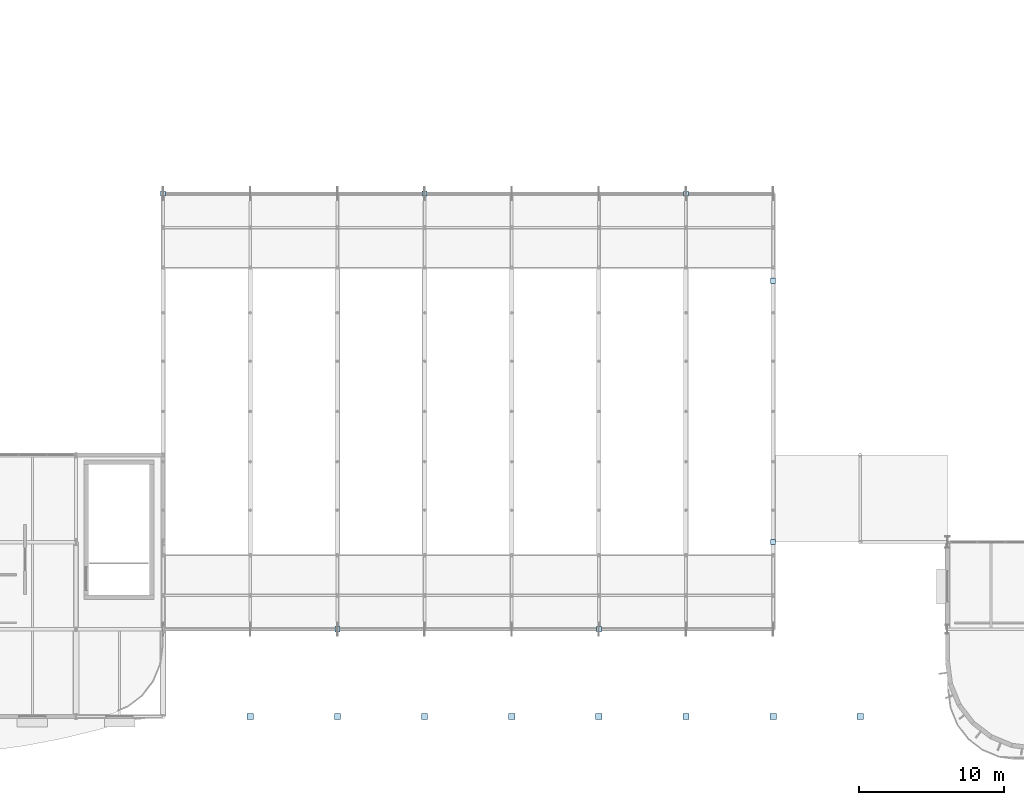
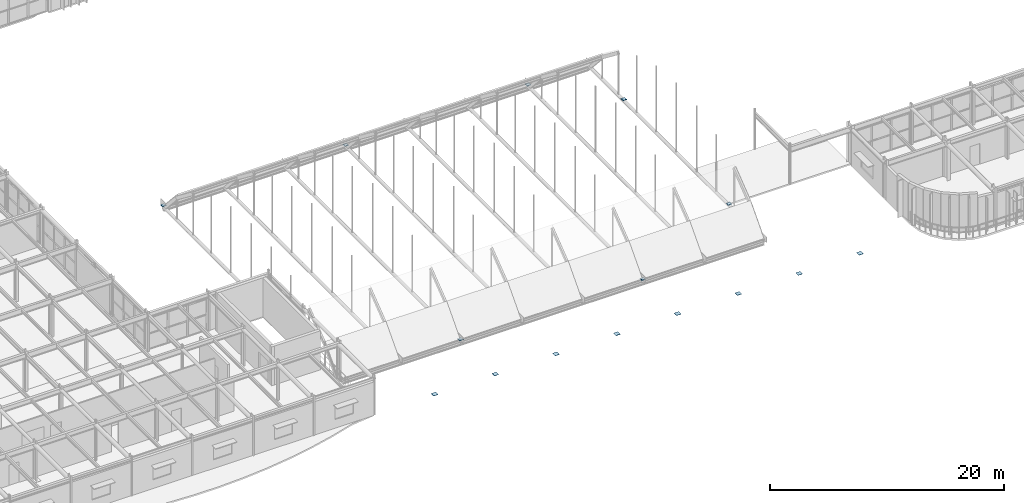
# One storey, part 83 of 116: 15 plates.
"""IFC4 building model written with IfcOpenShell, lengths in metres."""

from ifc_helpers import new_model, si_unit, direction, frame, origin, origin_2d, place, context, subcontext, project, spatial, rectangle, extrude, material, layer, layer_set, type_object, element, save


model = new_model("IFC4")

# Units and contexts
model_context = context("Model", 3, precision=1e-05, world=origin(), true_north=direction((0.0, 1.0)))
body_context = subcontext(model_context, "Body", "Model", "MODEL_VIEW")
ifc_project = project(units=[si_unit("LENGTHUNIT", "METRE"), si_unit("AREAUNIT", "SQUARE_METRE"), si_unit("VOLUMEUNIT", "CUBIC_METRE"), si_unit("PLANEANGLEUNIT", "RADIAN"), si_unit("MASSUNIT", "GRAM", prefix="KILO")], contexts=[model_context])

# Site, building, storey
site_placement = place(None, origin())
site = spatial("IfcSite", under=ifc_project, at=site_placement, CompositionType="ELEMENT")
building_placement = place(site_placement, origin())
building = spatial("IfcBuilding", under=site, at=building_placement, Name="Varnakota Square Police Headquarters", CompositionType="ELEMENT")
storey_placement = place(building_placement, frame((0.0, 0.0, 9.300048828125)))
storey = spatial("IfcBuildingStorey", under=building, at=storey_placement, Name="L02", CompositionType="ELEMENT", Elevation=9.300048828125)

# Plates
ifc_material = material(Name="Steel IS 2062 Grade 350", Category="steel")
ifc_layer = layer(ifc_material, 0.02001953125, Name="Steel IS 2062 Grade 350")
ifc_layer_set = layer_set([ifc_layer], Name="Steel IS 2062 Grade 350")
plate_type = type_object("IfcPlateType", Name="PL-CAP-20", PredefinedType="SHEET", material=ifc_layer_set)
plate_1_placement = place(storey_placement, frame((54.0, 39.0, -0.001953125), z_axis=(0.0, 0.0, 1.0), x_axis=(1.0, 0.0, 0.0)))
element("IfcPlate", 1, at=plate_1_placement, inside=storey, type_object=plate_type, Name="Hollow column top cap plate CP-COL-X0540-Y0390", PredefinedType="SHEET", context=body_context, shape_type="SweptSolid", body=[
    extrude(rectangle(XDim=0.35400390625, YDim=0.35400390625, at=origin_2d()), origin(), (0.0, 0.0, 1.0), 0.02001953125),
])
for number, where, z_axis, x_axis, name in (
    (2, (60.0, 3.0, -0.001953125), (0.0, 0.0, 1.0), (1.0, 0.0, 0.0), "Hollow column top cap plate CP-COL-X0600-Y0030"),
    (3, (66.0, 3.0, -0.001953125), (0.0, 0.0, 1.0), (1.0, 0.0, 0.0), "Hollow column top cap plate CP-COL-X0660-Y0030"),
):
    element("IfcPlate", number, at=place(storey_placement, frame(where, z_axis=z_axis, x_axis=x_axis)), inside=storey, type_object=plate_type, Name=name, PredefinedType="SHEET", context=body_context, shape_type="SweptSolid", body=[
        extrude(rectangle(XDim=0.436279296875, YDim=0.436279296875, at=origin_2d()), origin(), (0.0, 0.0, 1.0), 0.02001953125),
    ])
plate_2_placement = place(storey_placement, frame((66.0, 9.0, -0.001953125), z_axis=(0.0, 0.0, 1.0), x_axis=(1.0, 0.0, 0.0)))
element("IfcPlate", 4, at=plate_2_placement, inside=storey, type_object=plate_type, Name="Hollow column top cap plate CP-COL-X0660-Y0090", PredefinedType="SHEET", context=body_context, shape_type="SweptSolid", body=[
    extrude(rectangle(XDim=0.35400390625, YDim=0.35400390625, at=origin_2d()), origin(), (0.0, 0.0, 1.0), 0.02001953125),
])
plate_3_placement = place(storey_placement, frame((72.0, 3.0, -0.001953125), z_axis=(0.0, 0.0, 1.0), x_axis=(1.0, 0.0, 0.0)))
element("IfcPlate", 5, at=plate_3_placement, inside=storey, type_object=plate_type, Name="Hollow column top cap plate CP-COL-X0720-Y0030", PredefinedType="SHEET", context=body_context, shape_type="SweptSolid", body=[
    extrude(rectangle(XDim=0.436279296875, YDim=0.436279296875, at=origin_2d()), origin(), (0.0, 0.0, 1.0), 0.02001953125),
])
plate_4_placement = place(storey_placement, frame((72.0, 39.0, -0.001953125), z_axis=(0.0, 0.0, 1.0), x_axis=(1.0, 0.0, 0.0)))
element("IfcPlate", 6, at=plate_4_placement, inside=storey, type_object=plate_type, Name="Hollow column top cap plate CP-COL-X0720-Y0390", PredefinedType="SHEET", context=body_context, shape_type="SweptSolid", body=[
    extrude(rectangle(XDim=0.35400390625, YDim=0.35400390625, at=origin_2d()), origin(), (0.0, 0.0, 1.0), 0.02001953125),
])
for number, where, z_axis, x_axis, name in (
    (7, (78.0, 3.0, -0.001953125), (0.0, 0.0, 1.0), (1.0, 0.0, 0.0), "Hollow column top cap plate CP-COL-X0780-Y0030"),
    (8, (84.0, 3.0, -0.001953125), (0.0, 0.0, 1.0), (1.0, 0.0, 0.0), "Hollow column top cap plate CP-COL-X0840-Y0030"),
):
    element("IfcPlate", number, at=place(storey_placement, frame(where, z_axis=z_axis, x_axis=x_axis)), inside=storey, type_object=plate_type, Name=name, PredefinedType="SHEET", context=body_context, shape_type="SweptSolid", body=[
        extrude(rectangle(XDim=0.436279296875, YDim=0.436279296875, at=origin_2d()), origin(), (0.0, 0.0, 1.0), 0.02001953125),
    ])
plate_5_placement = place(storey_placement, frame((84.0, 9.0, -0.001953125), z_axis=(0.0, 0.0, 1.0), x_axis=(1.0, 0.0, 0.0)))
element("IfcPlate", 9, at=plate_5_placement, inside=storey, type_object=plate_type, Name="Hollow column top cap plate CP-COL-X0840-Y0090", PredefinedType="SHEET", context=body_context, shape_type="SweptSolid", body=[
    extrude(rectangle(XDim=0.35400390625, YDim=0.35400390625, at=origin_2d()), origin(), (0.0, 0.0, 1.0), 0.02001953125),
])
plate_6_placement = place(storey_placement, frame((90.0, 3.0, -0.001953125), z_axis=(0.0, 0.0, 1.0), x_axis=(1.0, 0.0, 0.0)))
element("IfcPlate", 10, at=plate_6_placement, inside=storey, type_object=plate_type, Name="Hollow column top cap plate CP-COL-X0900-Y0030", PredefinedType="SHEET", context=body_context, shape_type="SweptSolid", body=[
    extrude(rectangle(XDim=0.436279296875, YDim=0.436279296875, at=origin_2d()), origin(), (0.0, 0.0, 1.0), 0.02001953125),
])
plate_7_placement = place(storey_placement, frame((90.0, 39.0, -0.001953125), z_axis=(0.0, 0.0, 1.0), x_axis=(1.0, 0.0, 0.0)))
element("IfcPlate", 11, at=plate_7_placement, inside=storey, type_object=plate_type, Name="Hollow column top cap plate CP-COL-X0900-Y0390", PredefinedType="SHEET", context=body_context, shape_type="SweptSolid", body=[
    extrude(rectangle(XDim=0.35400390625, YDim=0.35400390625, at=origin_2d()), origin(), (0.0, 0.0, 1.0), 0.02001953125),
])
plate_8_placement = place(storey_placement, frame((96.0, 3.0, -0.001953125), z_axis=(0.0, 0.0, 1.0), x_axis=(1.0, 0.0, 0.0)))
element("IfcPlate", 12, at=plate_8_placement, inside=storey, type_object=plate_type, Name="Hollow column top cap plate CP-COL-X0960-Y0030", PredefinedType="SHEET", context=body_context, shape_type="SweptSolid", body=[
    extrude(rectangle(XDim=0.436279296875, YDim=0.436279296875, at=origin_2d()), origin(), (0.0, 0.0, 1.0), 0.02001953125),
])
for number, where, z_axis, x_axis, name in (
    (13, (96.0, 15.0, -0.001953125), (0.0, 0.0, 1.0), (1.0, 0.0, 0.0), "Hollow column top cap plate CP-COL-X0960-Y0150"),
    (14, (96.0, 33.0, -0.001953125), (0.0, 0.0, 1.0), (1.0, 0.0, 0.0), "Hollow column top cap plate CP-COL-X0960-Y0330"),
):
    element("IfcPlate", number, at=place(storey_placement, frame(where, z_axis=z_axis, x_axis=x_axis)), inside=storey, type_object=plate_type, Name=name, PredefinedType="SHEET", context=body_context, shape_type="SweptSolid", body=[
        extrude(rectangle(XDim=0.35400390625, YDim=0.35400390625, at=origin_2d()), origin(), (0.0, 0.0, 1.0), 0.02001953125),
    ])
plate_9_placement = place(storey_placement, frame((102.0, 3.0, -0.001953125), z_axis=(0.0, 0.0, 1.0), x_axis=(1.0, 0.0, 0.0)))
element("IfcPlate", 15, at=plate_9_placement, inside=storey, type_object=plate_type, Name="Hollow column top cap plate CP-COL-X1020-Y0030", PredefinedType="SHEET", context=body_context, shape_type="SweptSolid", body=[
    extrude(rectangle(XDim=0.436279296875, YDim=0.436279296875, at=origin_2d()), origin(), (0.0, 0.0, 1.0), 0.02001953125),
])

save(model, "model.ifc")
